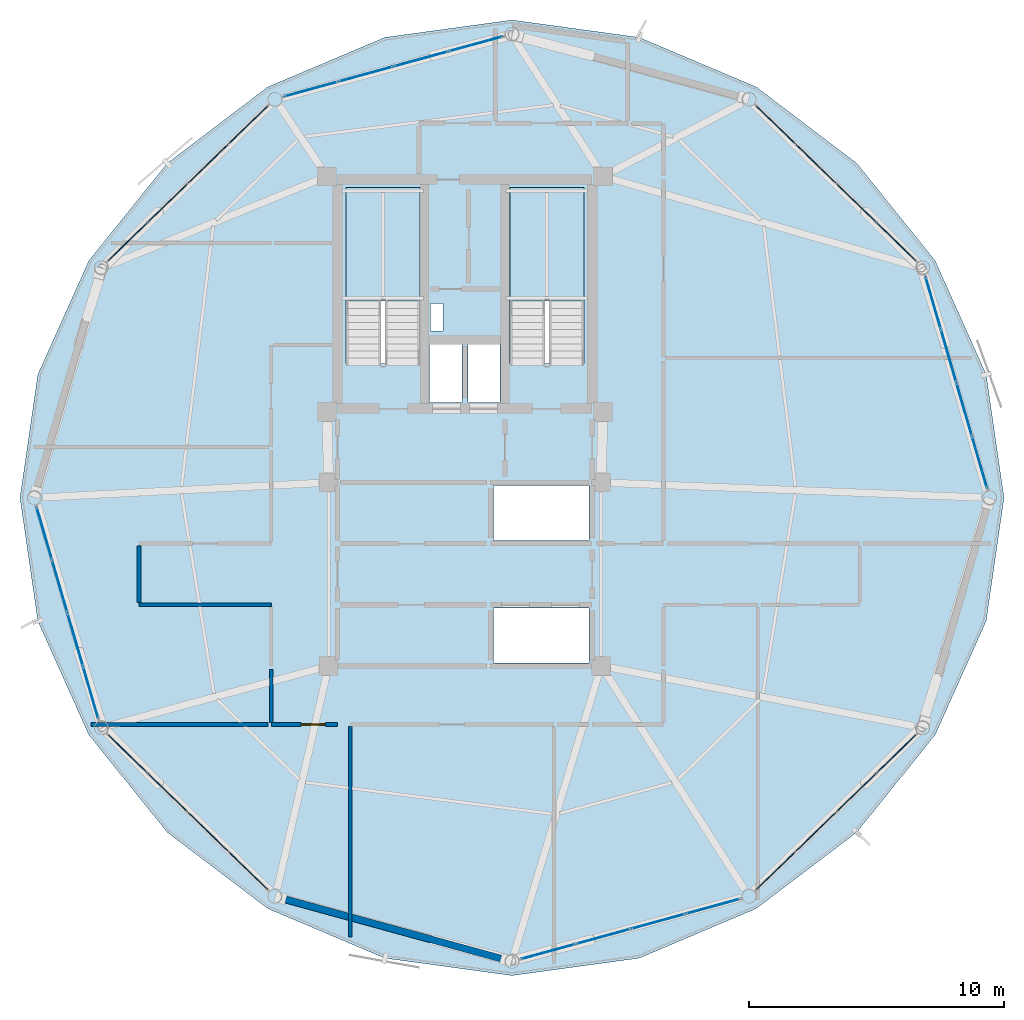
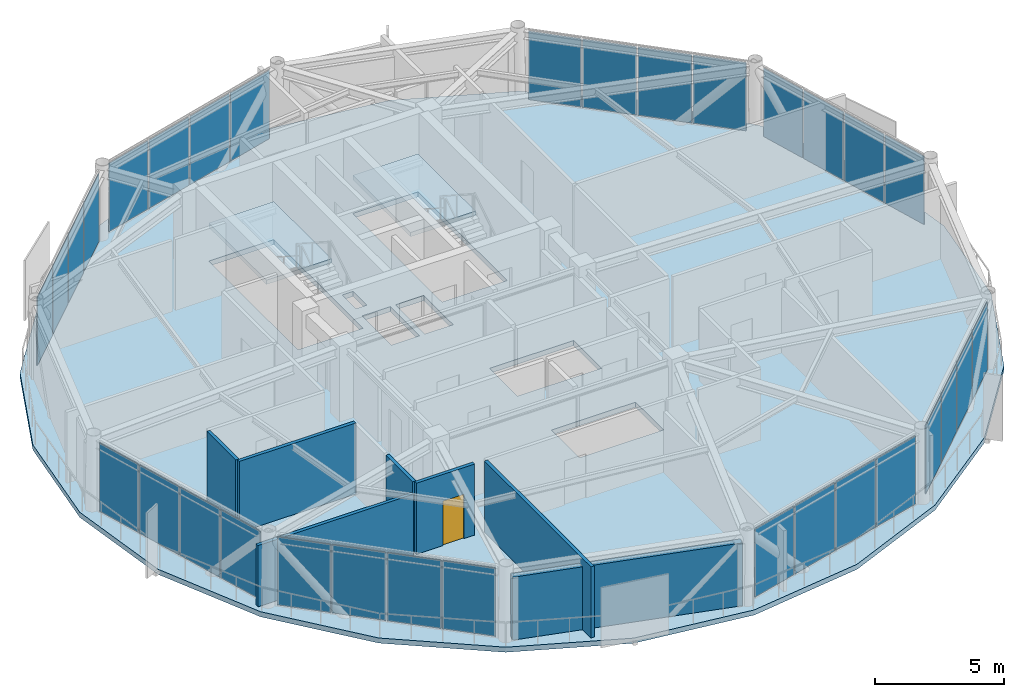
# One storey, part 21 of 27: 32 plates, 7 walls, 3 slabs, 1 door, 1 opening, 10 elements without a shape of their own.
"""IFC4 building model written with IfcOpenShell, lengths in metres."""

import ifcopenshell
import ifcopenshell.guid

model = None  # the IFC model being written
_history = None  # IfcOwnerHistory: only IFC2X3 demands one
_inside = {}  # id of a spatial element -> (the spatial element, [elements in it])
_under = {}  # id of a project, library or spatial element -> (it, [spatial elements below it])
_declared = {}  # id of a project -> (the project, [libraries it declares])
_typed = {}  # id of a type object -> (the type object, [elements of that type])
_made_of = {}  # id of a material, layer set ... -> (it, [elements and type objects made of it])


def new_model(schema):
    """Start an empty IFC model of exactly this schema.

    Asked for "IFC4X3", IfcOpenShell would pick the latest addendum, in which some entities
    have other attributes; the version numbers below select the first issue.
    IFC2X3 requires an IfcOwnerHistory on every rooted entity: one is made here for all.
    """
    global model, _history
    if schema == "IFC4X3":
        model = ifcopenshell.file(schema_version=(4, 3, 0, 0))
    else:
        model = ifcopenshell.file(schema=schema)
    _inside.clear()
    _under.clear()
    _declared.clear()
    _typed.clear()
    _made_of.clear()
    _history = None
    if model.schema == "IFC2X3":
        org = make("IfcOrganization", Name="unknown")
        user = make(
            "IfcPersonAndOrganization",
            ThePerson=make("IfcPerson", FamilyName="unknown"),
            TheOrganization=org,
        )
        app = make(
            "IfcApplication",
            ApplicationDeveloper=org,
            Version="unknown",
            ApplicationFullName="unknown",
            ApplicationIdentifier="unknown",
        )
        _history = make(
            "IfcOwnerHistory",
            OwningUser=user,
            OwningApplication=app,
            ChangeAction="ADDED",
            CreationDate=0,
        )
    return model


def make(cls, **values):
    """One entity of the class cls with the attributes given. An attribute that is None is left unset."""
    return model.create_entity(
        cls, **{name: value for name, value in values.items() if value is not None}
    )


def rooted(cls, **values):
    """An entity with a GlobalId (a new one), such as an element, a storey or a relation."""
    return make(cls, GlobalId=ifcopenshell.guid.new(), OwnerHistory=_history, **values)


def si_unit(unit_type, name, prefix=None):
    """IfcSIUnit, for example si_unit("LENGTHUNIT", "METRE", prefix="MILLI")."""
    return make("IfcSIUnit", UnitType=unit_type, Prefix=prefix, Name=name)


def assignment(units):
    """IfcUnitAssignment: the units of a project."""
    return None if units is None else make("IfcUnitAssignment", Units=units)


def point(xyz):
    """IfcCartesianPoint."""
    return None if xyz is None else make("IfcCartesianPoint", Coordinates=xyz)


def direction(xyz):
    """IfcDirection."""
    return None if xyz is None else make("IfcDirection", DirectionRatios=xyz)


def frame(location, z_axis=None, x_axis=None):
    """IfcAxis2Placement3D, a coordinate frame: its origin and axes. An axis left out is left unset."""
    return make(
        "IfcAxis2Placement3D",
        Location=point(location),
        Axis=direction(z_axis),
        RefDirection=direction(x_axis),
    )


def frame_2d(location, x_axis=None):
    """IfcAxis2Placement2D, a coordinate frame in the plane: its origin and x axis."""
    return make(
        "IfcAxis2Placement2D", Location=point(location), RefDirection=direction(x_axis)
    )


def origin():
    """The frame at (0, 0, 0) with its axes left unset."""
    return frame((0.0, 0.0, 0.0))


def origin_2d():
    """The frame at (0, 0) in the plane with its x axis left unset."""
    return frame_2d((0.0, 0.0))


def place(relative_to, where):
    """IfcLocalPlacement: puts the frame where relative to a parent placement (None: the world)."""
    return make(
        "IfcLocalPlacement", PlacementRelTo=relative_to, RelativePlacement=where
    )


def context(
    kind, dimensions, precision=None, world=None, true_north=None, identifier=None
):
    """IfcGeometricRepresentationContext, for example the 3D "Model" context."""
    return make(
        "IfcGeometricRepresentationContext",
        ContextIdentifier=identifier,
        ContextType=kind,
        CoordinateSpaceDimension=dimensions,
        Precision=precision,
        WorldCoordinateSystem=world,
        TrueNorth=true_north,
    )


def subcontext(parent, identifier, kind, view, scale=None):
    """IfcGeometricRepresentationSubContext, for example "Body" below "Model"."""
    return make(
        "IfcGeometricRepresentationSubContext",
        ContextIdentifier=identifier,
        ContextType=kind,
        ParentContext=parent,
        TargetScale=scale,
        TargetView=view,
    )


def project(units=None, contexts=None):
    """IfcProject with its units and contexts."""
    return rooted(
        "IfcProject",
        Name="project",
        RepresentationContexts=contexts,
        UnitsInContext=assignment(units),
    )


def spatial(cls, under=None, at=None, **own):
    """A site, building, storey or space (cls), placed at a placement, below another one or the project."""
    s = rooted(cls, ObjectPlacement=at, **own)
    if under is not None:
        _under.setdefault(under.id(), (under, []))[1].append(s)
    return s


def polyline(points):
    """IfcPolyline through the points."""
    return make("IfcPolyline", Points=[point(p) for p in points])


def profile(cls, at=None, kind="AREA", **sizes):
    """A parametric profile (cls). Its sizes go by their IFC names, for example OverallWidth=200.0."""
    return make(cls, ProfileType=kind, Position=at, **sizes)


def rectangle(**sizes):
    """IfcRectangleProfileDef."""
    return profile("IfcRectangleProfileDef", **sizes)


def outline(outer, holes=None, kind="AREA"):
    """IfcArbitraryClosedProfileDef: a profile drawn as a closed curve; with holes, ...WithVoids."""
    if holes is None:
        return make("IfcArbitraryClosedProfileDef", ProfileType=kind, OuterCurve=outer)
    return make(
        "IfcArbitraryProfileDefWithVoids",
        ProfileType=kind,
        OuterCurve=outer,
        InnerCurves=holes,
    )


def extrude(swept, where, along, depth):
    """IfcExtrudedAreaSolid: the profile swept, set in the frame where, extruded along a direction by depth."""
    return make(
        "IfcExtrudedAreaSolid",
        SweptArea=swept,
        Position=where,
        ExtrudedDirection=direction(along),
        Depth=depth,
    )


def shape(context_of_items, identifier, shape_type, items):
    """IfcShapeRepresentation: the items that make up one representation, for example the "Body"."""
    return make(
        "IfcShapeRepresentation",
        ContextOfItems=context_of_items,
        RepresentationIdentifier=identifier,
        RepresentationType=shape_type,
        Items=items,
    )


def source(mapping_origin, context_of_items, identifier, shape_type, items):
    """IfcRepresentationMap: a shape defined once, which mapped items show again and again."""
    return make(
        "IfcRepresentationMap",
        MappingOrigin=mapping_origin,
        MappedRepresentation=shape(context_of_items, identifier, shape_type, items),
    )


def transform(
    local_origin,
    x_axis=None,
    y_axis=None,
    z_axis=None,
    scale=None,
    scale2=None,
    scale3=None,
    uniform=True,
):
    """IfcCartesianTransformationOperator3D, or its non-uniform kind. x_axis, y_axis, z_axis: its Axis1, 2, 3."""
    if uniform:
        return make(
            "IfcCartesianTransformationOperator3D",
            Axis1=direction(x_axis),
            Axis2=direction(y_axis),
            LocalOrigin=point(local_origin),
            Scale=scale,
            Axis3=direction(z_axis),
        )
    return make(
        "IfcCartesianTransformationOperator3DnonUniform",
        Axis1=direction(x_axis),
        Axis2=direction(y_axis),
        LocalOrigin=point(local_origin),
        Scale=scale,
        Axis3=direction(z_axis),
        Scale2=scale2,
        Scale3=scale3,
    )


def mapped(mapping_source, mapping_target):
    """IfcMappedItem: shows the shape of a source again, moved by a transform."""
    return make(
        "IfcMappedItem", MappingSource=mapping_source, MappingTarget=mapping_target
    )


def material(Name=None, Category=None):
    """IfcMaterial."""
    return make("IfcMaterial", Name=Name, Category=Category)


def layer(
    of_material, thickness, ventilated=None, Name=None, Category=None, Priority=None
):
    """IfcMaterialLayer: one layer of a wall or slab, of a material (None: an air gap)."""
    return make(
        "IfcMaterialLayer",
        Material=of_material,
        LayerThickness=thickness,
        IsVentilated=ventilated,
        Name=Name,
        Category=Category,
        Priority=Priority,
    )


def layer_set(layers, Name=None):
    """IfcMaterialLayerSet."""
    return make("IfcMaterialLayerSet", MaterialLayers=layers, LayerSetName=Name)


def made_of(thing, what):
    """Note that an element or type object is made of a material, layer set ...; save() writes the relation."""
    if what is not None:
        _made_of.setdefault(what.id(), (what, []))[1].append(thing)
    return thing


def type_object(cls, material=None, **own):
    """A type object (cls), such as IfcWallType, which elements share."""
    return made_of(rooted(cls, **own), material)


def type_shapes(of_type, sources):
    """Give a type object the sources (RepresentationMaps) that its elements show as mapped items."""
    of_type.RepresentationMaps = sources


def element(
    cls,
    number,
    at=None,
    inside=None,
    cuts=None,
    type_object=None,
    material=None,
    context=None,
    identifier="Body",
    shape_type=None,
    held_by="IfcProductDefinitionShape",
    body=None,
    shapes=None,
    **own,
):
    """One element of the class cls, such as IfcWall. Its Tag is "e" and its number.

    at: its placement. inside: the storey or other place that contains it. cuts: it is an
    opening in that element (IfcRelVoidsElement). A single representation is given by context,
    identifier, shape_type and body (its items); several are given by shapes. held_by: the class
    of the entity that holds the representations. save() writes the other relations.
    """
    e = rooted(cls, Tag="e%d" % number, ObjectPlacement=at, **own)
    if body is not None:
        shapes = [shape(context, identifier, shape_type, body)]
    if shapes is not None:
        e.Representation = make(held_by, Representations=shapes)
    if inside is not None:
        _inside.setdefault(inside.id(), (inside, []))[1].append(e)
    if cuts is not None:
        rooted(
            "IfcRelVoidsElement", RelatingBuildingElement=cuts, RelatedOpeningElement=e
        )
    if type_object is not None:
        _typed.setdefault(type_object.id(), (type_object, []))[1].append(e)
    return made_of(e, material)


def fill(opening, filler):
    """IfcRelFillsElement: the door or window that sits in an opening."""
    return rooted(
        "IfcRelFillsElement",
        RelatingOpeningElement=opening,
        RelatedBuildingElement=filler,
    )


def aggregate(whole, parts):
    """IfcRelAggregates: a whole, such as a stair, and the parts it consists of."""
    return rooted("IfcRelAggregates", RelatingObject=whole, RelatedObjects=parts)


def save(model, path):
    """Write the relations noted so far, then the file.

    IfcRelAggregates (storeys below a building ...), IfcRelContainedInSpatialStructure (elements
    in a storey), IfcRelDefinesByType, IfcRelAssociatesMaterial and IfcRelDeclares: one each for
    every whole, place, type object, material and project.
    """
    for whole, parts in _under.values():
        aggregate(whole, parts)
    for where, things in _inside.values():
        rooted(
            "IfcRelContainedInSpatialStructure",
            RelatedElements=things,
            RelatingStructure=where,
        )
    for kind, things in _typed.values():
        rooted("IfcRelDefinesByType", RelatedObjects=things, RelatingType=kind)
    for what, things in _made_of.values():
        rooted("IfcRelAssociatesMaterial", RelatedObjects=things, RelatingMaterial=what)
    for by, libraries in _declared.values():
        rooted("IfcRelDeclares", RelatingContext=by, RelatedDefinitions=libraries)
    model.write(path)


model = new_model("IFC4")

# Units and contexts
model_context = context("Model", 3, precision=1e-05, world=origin(), true_north=direction((0.0, 1.0)))
body_context = subcontext(model_context, "Body", "Model", "MODEL_VIEW")
ifc_project = project(units=[si_unit("LENGTHUNIT", "METRE"), si_unit("AREAUNIT", "SQUARE_METRE"), si_unit("VOLUMEUNIT", "CUBIC_METRE"), si_unit("PLANEANGLEUNIT", "RADIAN"), si_unit("MASSUNIT", "GRAM", prefix="KILO")], contexts=[model_context])

# Site, building, storey
site_placement = place(None, origin())
site = spatial("IfcSite", under=ifc_project, at=site_placement, CompositionType="ELEMENT")
building_placement = place(site_placement, origin())
building = spatial("IfcBuilding", under=site, at=building_placement, Name="Varnakorn Sky Granary", CompositionType="ELEMENT")
storey_placement = place(building_placement, frame((0.0, 0.0, 232.800048828125)))
storey = spatial("IfcBuildingStorey", under=building, at=storey_placement, Name="L59", CompositionType="ELEMENT", Elevation=232.800048828125)

# Stair, slab
ifc_material_1 = material(Name="Concrete C40/50", Category="concrete")
stair_type = type_object("IfcStairType", Name="ST-MAIN-ASSEMBLY", PredefinedType="HALF_TURN_STAIR", material=ifc_material_1)
stair_1_placement = place(storey_placement, origin())
stair_1 = element("IfcStair", 1, at=stair_1_placement, inside=storey, type_object=stair_type, Name="L59 Protected Exit Stair ST-1", PredefinedType="HALF_TURN_STAIR")
ifc_layer_1 = layer(ifc_material_1, 0.199951171875, Name="Concrete C40/50")
ifc_layer_set_1 = layer_set([ifc_layer_1], Name="Concrete C40/50")
slab_type_1 = type_object("IfcSlabType", Name="ST-MAIN-LAND", PredefinedType="LANDING", material=ifc_layer_set_1)
slab_1_placement = place(storey_placement, frame((0.0, 0.0, 1.599853515625)))
slab_1 = element("IfcSlab", 2, at=slab_1_placement, type_object=slab_type_1, Name="ST-1 landing 1", PredefinedType="LANDING", context=body_context, shape_type="SweptSolid", body=[
    extrude(outline(polyline([(1.239990234375, 7.719970703125), (1.239990234375, 12.179931640625), (-1.669921875, 12.179931640625), (-1.669921875, 7.719970703125), (1.239990234375, 7.719970703125)])), origin(), (0.0, 0.0, 1.0), 0.2001953125),
])
aggregate(stair_1, [slab_1])

stair_2_placement = place(storey_placement, origin())
stair_2 = element("IfcStair", 3, at=stair_2_placement, inside=storey, type_object=stair_type, Name="L59 Protected Exit Stair ST-2", PredefinedType="HALF_TURN_STAIR")
slab_2_placement = place(storey_placement, frame((0.0, 0.0, 1.599853515625)))
slab_2 = element("IfcSlab", 4, at=slab_2_placement, type_object=slab_type_1, Name="ST-2 landing 1", PredefinedType="LANDING", context=body_context, shape_type="SweptSolid", body=[
    extrude(outline(polyline([(7.679931640625, 7.719970703125), (7.679931640625, 12.179931640625), (4.77001953125, 12.179931640625), (4.77001953125, 7.719970703125), (7.679931640625, 7.719970703125)])), origin(), (0.0, 0.0, 1.0), 0.2001953125),
])
aggregate(stair_2, [slab_2])

# Slab
ifc_material_2 = material(Name="Concrete C50/60", Category="concrete")
ifc_layer_2 = layer(ifc_material_2, 0.239990234375, Name="Concrete C50/60")
ifc_layer_set_2 = layer_set([ifc_layer_2], Name="Concrete C50/60")
slab_type_2 = type_object("IfcSlabType", Name="ST-SL-TWR-240", PredefinedType="FLOOR", material=ifc_layer_set_2)
slab_3_placement = place(storey_placement, frame((0.0, 0.0, -0.239990234375)))
element("IfcSlab", 5, at=slab_3_placement, inside=storey, type_object=slab_type_2, Name="Level L59 Structural Floor Slab", PredefinedType="FLOOR", context=body_context, shape_type="SweptSolid", body=[
    extrude(outline(polyline([(24.166015625, 0.0), (23.46435546875, 4.84326171875), (21.461181640625, 9.3115234375), (18.381103515625, 13.13671875), (14.4404296875, 16.1279296875), (9.837646484375, 18.075439453125), (4.85009765625, 18.758056640625), (-0.1376953125, 18.075439453125), (-4.740478515625, 16.1279296875), (-8.68115234375, 13.13671875), (-11.76123046875, 9.3115234375), (-13.764404296875, 4.84326171875), (-14.466064453125, 0.0), (-13.764404296875, -4.84326171875), (-11.76123046875, -9.3115234375), (-8.68115234375, -13.13671875), (-4.740478515625, -16.1279296875), (-0.1376953125, -18.075439453125), (4.85009765625, -18.758056640625), (9.837646484375, -18.075439453125), (14.4404296875, -16.1279296875), (18.381103515625, -13.13671875), (21.461181640625, -9.3115234375), (23.46435546875, -4.84326171875), (24.166015625, 0.0)]), holes=[polyline([(1.239990234375, 5.27490234375), (1.239990234375, 12.179931640625), (-1.669921875, 12.179931640625), (-1.669921875, 5.27490234375), (1.239990234375, 5.27490234375)]), polyline([(7.679931640625, 5.27490234375), (7.679931640625, 12.179931640625), (4.77001953125, 12.179931640625), (4.77001953125, 5.27490234375), (7.679931640625, 5.27490234375)]), polyline([(1.659912109375, 6.550048828125), (2.14990234375, 6.550048828125), (2.14990234375, 7.6201171875), (1.659912109375, 7.6201171875), (1.659912109375, 6.550048828125)]), polyline([(1.6201171875, 3.739990234375), (2.8798828125, 3.739990234375), (2.8798828125, 6.010009765625), (1.6201171875, 6.010009765625), (1.6201171875, 3.739990234375)]), polyline([(3.1201171875, 3.739990234375), (4.3798828125, 3.739990234375), (4.3798828125, 6.010009765625), (3.1201171875, 6.010009765625), (3.1201171875, 3.739990234375)]), polyline([(4.1201171875, -1.679931640625), (7.8798828125, -1.679931640625), (7.8798828125, 0.47998046875), (4.1201171875, 0.47998046875), (4.1201171875, -1.679931640625)]), polyline([(4.1201171875, -6.47998046875), (7.8798828125, -6.47998046875), (7.8798828125, -4.320068359375), (4.1201171875, -4.320068359375), (4.1201171875, -6.47998046875)])]), origin(), (0.0, 0.0, 1.0), 0.239990234375),
])

# Curtain wall, plates
ifc_material_3 = material(Name="Anodised Bronze Aluminium Alloy 6063-T6", Category="aluminium")
ifc_layer_3 = layer(ifc_material_3, 0.169921875, Name="Anodised Bronze Aluminium Alloy 6063-T6")
ifc_layer_set_3 = layer_set([ifc_layer_3], Name="Anodised Bronze Aluminium Alloy 6063-T6")
curtain_wall_type = type_object("IfcCurtainWallType", Name="CW-LAB-1", PredefinedType="USERDEFINED", material=ifc_layer_set_3)
curtain_wall_1_placement = place(storey_placement, origin())
curtain_wall_1 = element("IfcCurtainWall", 6, at=curtain_wall_1_placement, inside=storey, type_object=curtain_wall_type, Name="Unitised Curtain Wall CW5 CW-L59-B01", ObjectType="CURTAIN WALL", PredefinedType="USERDEFINED")
ifc_material_4 = material(Name="Opaque Insulated Aluminium Shadow-Box Unit", Category="aluminium")
ifc_layer_4 = layer(ifc_material_4, 0.033935546875, Name="Opaque Insulated Aluminium Shadow-Box Unit")
ifc_layer_set_4 = layer_set([ifc_layer_4], Name="Opaque Insulated Aluminium Shadow-Box Unit")
plate_type = type_object("IfcPlateType", Name="CW-LAB-1-PNL", PredefinedType="CURTAIN_PANEL")
shared_shape_1 = source(origin(), body_context, "Body", "SweptSolid", [
    extrude(rectangle(XDim=2.085693359375, YDim=0.033935546875, at=origin_2d()), origin(), (0.0, 0.0, 1.0), 3.219970703125),
])
plate_1_placement = place(storey_placement, frame((21.389404296875, 7.646728515625, 0.06982421875), z_axis=(0.0, 0.0, 1.0), x_axis=(0.27955892396, -0.960128537246, 0.0)))
plate_1 = element("IfcPlate", 7, at=plate_1_placement, type_object=plate_type, material=ifc_layer_set_4, Name="CW5 opaque insulated shadow-box unit 1.1", PredefinedType="CURTAIN_PANEL", context=body_context, shape_type="MappedRepresentation", body=[
    mapped(shared_shape_1, transform((0.0, 0.0, 0.0), x_axis=(1.0, 0.0, 0.0), y_axis=(0.0, 1.0, 0.0), z_axis=(0.0, 0.0, 1.0), scale=1.0)),
])
ifc_material_5 = material(Name="Low-E Tinted Laminated Glass", Category="glass")
ifc_layer_5 = layer(ifc_material_5, 0.033935546875, Name="Low-E Tinted Laminated Glass")
ifc_layer_set_5 = layer_set([ifc_layer_5], Name="Low-E Tinted Laminated Glass")
plate_2_placement = place(storey_placement, frame((23.21142578125, 1.3896484375, 0.06982421875), z_axis=(0.0, 0.0, 1.0), x_axis=(0.27955892396, -0.960128537246, 0.0)))
plate_2 = element("IfcPlate", 8, at=plate_2_placement, type_object=plate_type, material=ifc_layer_set_5, Name="CW5 vision glazing unit 4.1", PredefinedType="CURTAIN_PANEL", context=body_context, shape_type="MappedRepresentation", body=[
    mapped(shared_shape_1, transform((0.0, 0.0, 0.0), x_axis=(1.0, 0.0, 0.0), y_axis=(0.0, 1.0, 0.0), z_axis=(0.0, 0.0, 1.0), scale=1.0)),
])

curtain_wall_2_placement = place(storey_placement, origin())
curtain_wall_2 = element("IfcCurtainWall", 9, at=curtain_wall_2_placement, inside=storey, type_object=curtain_wall_type, Name="Unitised Curtain Wall CW5 CW-L59-B07", ObjectType="CURTAIN WALL", PredefinedType="USERDEFINED")
plate_3_placement = place(storey_placement, frame((-11.689453125, -7.646728515625, 0.06982421875), z_axis=(0.0, 0.0, 1.0), x_axis=(-0.27955892396, 0.960128537246, 0.0)))
plate_3 = element("IfcPlate", 10, at=plate_3_placement, type_object=plate_type, material=ifc_layer_set_4, Name="CW5 opaque insulated shadow-box unit 1.1", PredefinedType="CURTAIN_PANEL", context=body_context, shape_type="MappedRepresentation", body=[
    mapped(shared_shape_1, transform((0.0, 0.0, 0.0), x_axis=(1.0, 0.0, 0.0), y_axis=(0.0, 1.0, 0.0), z_axis=(0.0, 0.0, 1.0), scale=1.0)),
])
plate_4_placement = place(storey_placement, frame((-13.511474609375, -1.3896484375, 0.06982421875), z_axis=(0.0, 0.0, 1.0), x_axis=(-0.27955892396, 0.960128537246, 0.0)))
plate_4 = element("IfcPlate", 11, at=plate_4_placement, type_object=plate_type, material=ifc_layer_set_5, Name="CW5 vision glazing unit 4.1", PredefinedType="CURTAIN_PANEL", context=body_context, shape_type="MappedRepresentation", body=[
    mapped(shared_shape_1, transform((0.0, 0.0, 0.0), x_axis=(1.0, 0.0, 0.0), y_axis=(0.0, 1.0, 0.0), z_axis=(0.0, 0.0, 1.0), scale=1.0)),
])

# Plate
shared_shape_2 = source(origin(), body_context, "Body", "SweptSolid", [
    extrude(rectangle(XDim=2.1181640625, YDim=0.033935546875, at=origin_2d()), origin(), (0.0, 0.0, 1.0), 3.219970703125),
])
plate_5_placement = place(storey_placement, frame((21.995361328125, 5.56640625, 0.06982421875), z_axis=(0.0, 0.0, 1.0), x_axis=(0.27955892396, -0.960128537246, 0.0)))
plate_5 = element("IfcPlate", 12, at=plate_5_placement, type_object=plate_type, material=ifc_layer_set_4, Name="CW5 opaque insulated shadow-box unit 2.1", PredefinedType="CURTAIN_PANEL", context=body_context, shape_type="MappedRepresentation", body=[
    mapped(shared_shape_2, transform((0.0, 0.0, 0.0), x_axis=(1.0, 0.0, 0.0), y_axis=(0.0, 1.0, 0.0), z_axis=(0.0, 0.0, 1.0), scale=1.0)),
])

plate_6_placement = place(storey_placement, frame((22.605712890625, 3.47021484375, 0.06982421875), z_axis=(0.0, 0.0, 1.0), x_axis=(0.27955892396, -0.960128537246, 0.0)))
plate_6 = element("IfcPlate", 13, at=plate_6_placement, type_object=plate_type, material=ifc_layer_set_5, Name="CW5 vision glazing unit 3.1", PredefinedType="CURTAIN_PANEL", context=body_context, shape_type="MappedRepresentation", body=[
    mapped(shared_shape_2, transform((0.0, 0.0, 0.0), x_axis=(1.0, 0.0, 0.0), y_axis=(0.0, 1.0, 0.0), z_axis=(0.0, 0.0, 1.0), scale=1.0)),
])

aggregate(curtain_wall_1, [plate_1, plate_5, plate_6, plate_2])

plate_7_placement = place(storey_placement, frame((-12.295166015625, -5.56640625, 0.06982421875), z_axis=(0.0, 0.0, 1.0), x_axis=(-0.27955892396, 0.960128537246, 0.0)))
plate_7 = element("IfcPlate", 14, at=plate_7_placement, type_object=plate_type, material=ifc_layer_set_4, Name="CW5 opaque insulated shadow-box unit 2.1", PredefinedType="CURTAIN_PANEL", context=body_context, shape_type="MappedRepresentation", body=[
    mapped(shared_shape_2, transform((0.0, 0.0, 0.0), x_axis=(1.0, 0.0, 0.0), y_axis=(0.0, 1.0, 0.0), z_axis=(0.0, 0.0, 1.0), scale=1.0)),
])

plate_8_placement = place(storey_placement, frame((-12.905517578125, -3.47021484375, 0.06982421875), z_axis=(0.0, 0.0, 1.0), x_axis=(-0.27955892396, 0.960128537246, 0.0)))
plate_8 = element("IfcPlate", 15, at=plate_8_placement, type_object=plate_type, material=ifc_layer_set_5, Name="CW5 vision glazing unit 3.1", PredefinedType="CURTAIN_PANEL", context=body_context, shape_type="MappedRepresentation", body=[
    mapped(shared_shape_2, transform((0.0, 0.0, 0.0), x_axis=(1.0, 0.0, 0.0), y_axis=(0.0, 1.0, 0.0), z_axis=(0.0, 0.0, 1.0), scale=1.0)),
])

aggregate(curtain_wall_2, [plate_3, plate_7, plate_8, plate_4])

# Curtain wall, plates
curtain_wall_3_placement = place(storey_placement, origin())
curtain_wall_3 = element("IfcCurtainWall", 16, at=curtain_wall_3_placement, inside=storey, type_object=curtain_wall_type, Name="Unitised Curtain Wall CW5 CW-L59-B02", ObjectType="CURTAIN WALL", PredefinedType="USERDEFINED")
shared_shape_3 = source(origin(), body_context, "Body", "SweptSolid", [
    extrude(rectangle(XDim=2.10791015625, YDim=0.033935546875, at=origin_2d()), origin(), (0.0, 0.0, 1.0), 3.219970703125),
])
plate_9_placement = place(storey_placement, frame((15.21240234375, 14.63623046875, 0.06982421875), z_axis=(0.0, 0.0, 1.0), x_axis=(0.717771284893, -0.696278954574, 0.0)))
plate_9 = element("IfcPlate", 17, at=plate_9_placement, type_object=plate_type, material=ifc_layer_set_5, Name="CW5 vision glazing unit 1.1", PredefinedType="CURTAIN_PANEL", context=body_context, shape_type="MappedRepresentation", body=[
    mapped(shared_shape_3, transform((0.0, 0.0, 0.0), x_axis=(1.0, 0.0, 0.0), y_axis=(0.0, 1.0, 0.0), z_axis=(0.0, 0.0, 1.0), scale=1.0)),
])
plate_10_placement = place(storey_placement, frame((19.93798828125, 10.052001953125, 0.06982421875), z_axis=(0.0, 0.0, 1.0), x_axis=(0.717771284893, -0.696278954574, 0.0)))
plate_10 = element("IfcPlate", 18, at=plate_10_placement, type_object=plate_type, material=ifc_layer_set_4, Name="CW5 opaque insulated shadow-box unit 4.1", PredefinedType="CURTAIN_PANEL", context=body_context, shape_type="MappedRepresentation", body=[
    mapped(shared_shape_3, transform((0.0, 0.0, 0.0), x_axis=(1.0, 0.0, 0.0), y_axis=(0.0, 1.0, 0.0), z_axis=(0.0, 0.0, 1.0), scale=1.0)),
])

curtain_wall_4_placement = place(storey_placement, origin())
curtain_wall_4 = element("IfcCurtainWall", 19, at=curtain_wall_4_placement, inside=storey, type_object=curtain_wall_type, Name="Unitised Curtain Wall CW5 CW-L59-B05", ObjectType="CURTAIN WALL", PredefinedType="USERDEFINED")
plate_11_placement = place(storey_placement, frame((-10.238037109375, 10.052001953125, 0.06982421875), z_axis=(0.0, 0.0, 1.0), x_axis=(0.717771284893, 0.696278954574, 0.0)))
plate_11 = element("IfcPlate", 20, at=plate_11_placement, type_object=plate_type, material=ifc_layer_set_4, Name="CW5 opaque insulated shadow-box unit 1.1", PredefinedType="CURTAIN_PANEL", context=body_context, shape_type="MappedRepresentation", body=[
    mapped(shared_shape_3, transform((0.0, 0.0, 0.0), x_axis=(1.0, 0.0, 0.0), y_axis=(0.0, 1.0, 0.0), z_axis=(0.0, 0.0, 1.0), scale=1.0)),
])
plate_12_placement = place(storey_placement, frame((-5.512451171875, 14.63623046875, 0.06982421875), z_axis=(0.0, 0.0, 1.0), x_axis=(0.717771284893, 0.696278954574, 0.0)))
plate_12 = element("IfcPlate", 21, at=plate_12_placement, type_object=plate_type, material=ifc_layer_set_5, Name="CW5 vision glazing unit 4.1", PredefinedType="CURTAIN_PANEL", context=body_context, shape_type="MappedRepresentation", body=[
    mapped(shared_shape_3, transform((0.0, 0.0, 0.0), x_axis=(1.0, 0.0, 0.0), y_axis=(0.0, 1.0, 0.0), z_axis=(0.0, 0.0, 1.0), scale=1.0)),
])

curtain_wall_5_placement = place(storey_placement, origin())
curtain_wall_5 = element("IfcCurtainWall", 22, at=curtain_wall_5_placement, inside=storey, type_object=curtain_wall_type, Name="Unitised Curtain Wall CW5 CW-L59-B08", ObjectType="CURTAIN WALL", PredefinedType="USERDEFINED")
plate_13_placement = place(storey_placement, frame((-5.512451171875, -14.63623046875, 0.06982421875), z_axis=(0.0, 0.0, 1.0), x_axis=(-0.717771284893, 0.696278954574, 0.0)))
plate_13 = element("IfcPlate", 23, at=plate_13_placement, type_object=plate_type, material=ifc_layer_set_5, Name="CW5 vision glazing unit 1.1", PredefinedType="CURTAIN_PANEL", context=body_context, shape_type="MappedRepresentation", body=[
    mapped(shared_shape_3, transform((0.0, 0.0, 0.0), x_axis=(1.0, 0.0, 0.0), y_axis=(0.0, 1.0, 0.0), z_axis=(0.0, 0.0, 1.0), scale=1.0)),
])
plate_14_placement = place(storey_placement, frame((-10.238037109375, -10.052001953125, 0.06982421875), z_axis=(0.0, 0.0, 1.0), x_axis=(-0.717771284893, 0.696278954574, 0.0)))
plate_14 = element("IfcPlate", 24, at=plate_14_placement, type_object=plate_type, material=ifc_layer_set_4, Name="CW5 opaque insulated shadow-box unit 4.1", PredefinedType="CURTAIN_PANEL", context=body_context, shape_type="MappedRepresentation", body=[
    mapped(shared_shape_3, transform((0.0, 0.0, 0.0), x_axis=(1.0, 0.0, 0.0), y_axis=(0.0, 1.0, 0.0), z_axis=(0.0, 0.0, 1.0), scale=1.0)),
])

curtain_wall_6_placement = place(storey_placement, origin())
curtain_wall_6 = element("IfcCurtainWall", 25, at=curtain_wall_6_placement, inside=storey, type_object=curtain_wall_type, Name="Unitised Curtain Wall CW5 CW-L59-B11", ObjectType="CURTAIN WALL", PredefinedType="USERDEFINED")
plate_15_placement = place(storey_placement, frame((19.93798828125, -10.052001953125, 0.06982421875), z_axis=(0.0, 0.0, 1.0), x_axis=(-0.717771284893, -0.696278954574, 0.0)))
plate_15 = element("IfcPlate", 26, at=plate_15_placement, type_object=plate_type, material=ifc_layer_set_4, Name="CW5 opaque insulated shadow-box unit 1.1", PredefinedType="CURTAIN_PANEL", context=body_context, shape_type="MappedRepresentation", body=[
    mapped(shared_shape_3, transform((0.0, 0.0, 0.0), x_axis=(1.0, 0.0, 0.0), y_axis=(0.0, 1.0, 0.0), z_axis=(0.0, 0.0, 1.0), scale=1.0)),
])
plate_16_placement = place(storey_placement, frame((15.21240234375, -14.63623046875, 0.06982421875), z_axis=(0.0, 0.0, 1.0), x_axis=(-0.717771284893, -0.696278954574, 0.0)))
plate_16 = element("IfcPlate", 27, at=plate_16_placement, type_object=plate_type, material=ifc_layer_set_5, Name="CW5 vision glazing unit 4.1", PredefinedType="CURTAIN_PANEL", context=body_context, shape_type="MappedRepresentation", body=[
    mapped(shared_shape_3, transform((0.0, 0.0, 0.0), x_axis=(1.0, 0.0, 0.0), y_axis=(0.0, 1.0, 0.0), z_axis=(0.0, 0.0, 1.0), scale=1.0)),
])

# Plate
shared_shape_4 = source(origin(), body_context, "Body", "SweptSolid", [
    extrude(rectangle(XDim=2.140380859375, YDim=0.033935546875, at=origin_2d()), origin(), (0.0, 0.0, 1.0), 3.219970703125),
])
plate_17_placement = place(storey_placement, frame((16.78369140625, 13.11181640625, 0.06982421875), z_axis=(0.0, 0.0, 1.0), x_axis=(0.717771284893, -0.696278954574, 0.0)))
plate_17 = element("IfcPlate", 28, at=plate_17_placement, type_object=plate_type, material=ifc_layer_set_5, Name="CW5 vision glazing unit 2.1", PredefinedType="CURTAIN_PANEL", context=body_context, shape_type="MappedRepresentation", body=[
    mapped(shared_shape_4, transform((0.0, 0.0, 0.0), x_axis=(1.0, 0.0, 0.0), y_axis=(0.0, 1.0, 0.0), z_axis=(0.0, 0.0, 1.0), scale=1.0)),
])

plate_18_placement = place(storey_placement, frame((18.36669921875, 11.576416015625, 0.06982421875), z_axis=(0.0, 0.0, 1.0), x_axis=(0.717771284893, -0.696278954574, 0.0)))
plate_18 = element("IfcPlate", 29, at=plate_18_placement, type_object=plate_type, material=ifc_layer_set_4, Name="CW5 opaque insulated shadow-box unit 3.1", PredefinedType="CURTAIN_PANEL", context=body_context, shape_type="MappedRepresentation", body=[
    mapped(shared_shape_4, transform((0.0, 0.0, 0.0), x_axis=(1.0, 0.0, 0.0), y_axis=(0.0, 1.0, 0.0), z_axis=(0.0, 0.0, 1.0), scale=1.0)),
])

aggregate(curtain_wall_3, [plate_9, plate_17, plate_18, plate_10])

plate_19_placement = place(storey_placement, frame((-8.666748046875, 11.576416015625, 0.06982421875), z_axis=(0.0, 0.0, 1.0), x_axis=(0.717771284893, 0.696278954574, 0.0)))
plate_19 = element("IfcPlate", 30, at=plate_19_placement, type_object=plate_type, material=ifc_layer_set_4, Name="CW5 opaque insulated shadow-box unit 2.1", PredefinedType="CURTAIN_PANEL", context=body_context, shape_type="MappedRepresentation", body=[
    mapped(shared_shape_4, transform((0.0, 0.0, 0.0), x_axis=(1.0, 0.0, 0.0), y_axis=(0.0, 1.0, 0.0), z_axis=(0.0, 0.0, 1.0), scale=1.0)),
])

plate_20_placement = place(storey_placement, frame((-7.083740234375, 13.11181640625, 0.06982421875), z_axis=(0.0, 0.0, 1.0), x_axis=(0.717771284893, 0.696278954574, 0.0)))
plate_20 = element("IfcPlate", 31, at=plate_20_placement, type_object=plate_type, material=ifc_layer_set_5, Name="CW5 vision glazing unit 3.1", PredefinedType="CURTAIN_PANEL", context=body_context, shape_type="MappedRepresentation", body=[
    mapped(shared_shape_4, transform((0.0, 0.0, 0.0), x_axis=(1.0, 0.0, 0.0), y_axis=(0.0, 1.0, 0.0), z_axis=(0.0, 0.0, 1.0), scale=1.0)),
])

aggregate(curtain_wall_4, [plate_11, plate_19, plate_20, plate_12])

plate_21_placement = place(storey_placement, frame((-7.083740234375, -13.11181640625, 0.06982421875), z_axis=(0.0, 0.0, 1.0), x_axis=(-0.717771284893, 0.696278954574, 0.0)))
plate_21 = element("IfcPlate", 32, at=plate_21_placement, type_object=plate_type, material=ifc_layer_set_5, Name="CW5 vision glazing unit 2.1", PredefinedType="CURTAIN_PANEL", context=body_context, shape_type="MappedRepresentation", body=[
    mapped(shared_shape_4, transform((0.0, 0.0, 0.0), x_axis=(1.0, 0.0, 0.0), y_axis=(0.0, 1.0, 0.0), z_axis=(0.0, 0.0, 1.0), scale=1.0)),
])

plate_22_placement = place(storey_placement, frame((-8.666748046875, -11.576416015625, 0.06982421875), z_axis=(0.0, 0.0, 1.0), x_axis=(-0.717771284893, 0.696278954574, 0.0)))
plate_22 = element("IfcPlate", 33, at=plate_22_placement, type_object=plate_type, material=ifc_layer_set_4, Name="CW5 opaque insulated shadow-box unit 3.1", PredefinedType="CURTAIN_PANEL", context=body_context, shape_type="MappedRepresentation", body=[
    mapped(shared_shape_4, transform((0.0, 0.0, 0.0), x_axis=(1.0, 0.0, 0.0), y_axis=(0.0, 1.0, 0.0), z_axis=(0.0, 0.0, 1.0), scale=1.0)),
])

aggregate(curtain_wall_5, [plate_13, plate_21, plate_22, plate_14])

plate_23_placement = place(storey_placement, frame((18.36669921875, -11.576416015625, 0.06982421875), z_axis=(0.0, 0.0, 1.0), x_axis=(-0.717771284893, -0.696278954574, 0.0)))
plate_23 = element("IfcPlate", 34, at=plate_23_placement, type_object=plate_type, material=ifc_layer_set_4, Name="CW5 opaque insulated shadow-box unit 2.1", PredefinedType="CURTAIN_PANEL", context=body_context, shape_type="MappedRepresentation", body=[
    mapped(shared_shape_4, transform((0.0, 0.0, 0.0), x_axis=(1.0, 0.0, 0.0), y_axis=(0.0, 1.0, 0.0), z_axis=(0.0, 0.0, 1.0), scale=1.0)),
])

plate_24_placement = place(storey_placement, frame((16.78369140625, -13.11181640625, 0.06982421875), z_axis=(0.0, 0.0, 1.0), x_axis=(-0.717771284893, -0.696278954574, 0.0)))
plate_24 = element("IfcPlate", 35, at=plate_24_placement, type_object=plate_type, material=ifc_layer_set_5, Name="CW5 vision glazing unit 3.1", PredefinedType="CURTAIN_PANEL", context=body_context, shape_type="MappedRepresentation", body=[
    mapped(shared_shape_4, transform((0.0, 0.0, 0.0), x_axis=(1.0, 0.0, 0.0), y_axis=(0.0, 1.0, 0.0), z_axis=(0.0, 0.0, 1.0), scale=1.0)),
])

aggregate(curtain_wall_6, [plate_15, plate_23, plate_24, plate_16])

# Curtain wall, plates
curtain_wall_7_placement = place(storey_placement, origin())
curtain_wall_7 = element("IfcCurtainWall", 36, at=curtain_wall_7_placement, inside=storey, type_object=curtain_wall_type, Name="Unitised Curtain Wall CW5 CW-L59-B04", ObjectType="CURTAIN WALL", PredefinedType="USERDEFINED")
shared_shape_5 = source(origin(), body_context, "Body", "SweptSolid", [
    extrude(rectangle(XDim=2.147705078125, YDim=0.033935546875, at=origin_2d()), origin(), (0.0, 0.0, 1.0), 3.219970703125),
])
plate_25_placement = place(storey_placement, frame((-3.039794921875, 16.04296875, 0.06982421875), z_axis=(0.0, 0.0, 1.0), x_axis=(0.964347379265, 0.26463962686, 0.0)))
plate_25 = element("IfcPlate", 37, at=plate_25_placement, type_object=plate_type, material=ifc_layer_set_5, Name="CW5 vision glazing unit 1.1", PredefinedType="CURTAIN_PANEL", context=body_context, shape_type="MappedRepresentation", body=[
    mapped(shared_shape_5, transform((0.0, 0.0, 0.0), x_axis=(1.0, 0.0, 0.0), y_axis=(0.0, 1.0, 0.0), z_axis=(0.0, 0.0, 1.0), scale=1.0)),
])
plate_26_placement = place(storey_placement, frame((3.42431640625, 17.81689453125, 0.06982421875), z_axis=(0.0, 0.0, 1.0), x_axis=(0.964347379265, 0.26463962686, 0.0)))
plate_26 = element("IfcPlate", 38, at=plate_26_placement, type_object=plate_type, material=ifc_layer_set_4, Name="CW5 opaque insulated shadow-box unit 4.1", PredefinedType="CURTAIN_PANEL", context=body_context, shape_type="MappedRepresentation", body=[
    mapped(shared_shape_5, transform((0.0, 0.0, 0.0), x_axis=(1.0, 0.0, 0.0), y_axis=(0.0, 1.0, 0.0), z_axis=(0.0, 0.0, 1.0), scale=1.0)),
])

curtain_wall_8_placement = place(storey_placement, origin())
curtain_wall_8 = element("IfcCurtainWall", 39, at=curtain_wall_8_placement, inside=storey, type_object=curtain_wall_type, Name="Unitised Curtain Wall CW5 CW-L59-B10", ObjectType="CURTAIN WALL", PredefinedType="USERDEFINED")
plate_27_placement = place(storey_placement, frame((12.73974609375, -16.04296875, 0.06982421875), z_axis=(0.0, 0.0, 1.0), x_axis=(-0.964347379265, -0.26463962686, 0.0)))
plate_27 = element("IfcPlate", 40, at=plate_27_placement, type_object=plate_type, material=ifc_layer_set_5, Name="CW5 vision glazing unit 1.1", PredefinedType="CURTAIN_PANEL", context=body_context, shape_type="MappedRepresentation", body=[
    mapped(shared_shape_5, transform((0.0, 0.0, 0.0), x_axis=(1.0, 0.0, 0.0), y_axis=(0.0, 1.0, 0.0), z_axis=(0.0, 0.0, 1.0), scale=1.0)),
])
plate_28_placement = place(storey_placement, frame((6.275634765625, -17.81689453125, 0.06982421875), z_axis=(0.0, 0.0, 1.0), x_axis=(-0.964347379265, -0.26463962686, 0.0)))
plate_28 = element("IfcPlate", 41, at=plate_28_placement, type_object=plate_type, material=ifc_layer_set_4, Name="CW5 opaque insulated shadow-box unit 4.1", PredefinedType="CURTAIN_PANEL", context=body_context, shape_type="MappedRepresentation", body=[
    mapped(shared_shape_5, transform((0.0, 0.0, 0.0), x_axis=(1.0, 0.0, 0.0), y_axis=(0.0, 1.0, 0.0), z_axis=(0.0, 0.0, 1.0), scale=1.0)),
])

# Plate
shared_shape_6 = source(origin(), body_context, "Body", "SweptSolid", [
    extrude(rectangle(XDim=2.18017578125, YDim=0.033935546875, at=origin_2d()), origin(), (0.0, 0.0, 1.0), 3.219970703125),
])
type_shapes(plate_type, [shared_shape_1, shared_shape_2, shared_shape_3, shared_shape_4, shared_shape_5, shared_shape_6])
plate_29_placement = place(storey_placement, frame((-0.890380859375, 16.6328125, 0.06982421875), z_axis=(0.0, 0.0, 1.0), x_axis=(0.964347379265, 0.26463962686, 0.0)))
plate_29 = element("IfcPlate", 42, at=plate_29_placement, type_object=plate_type, material=ifc_layer_set_5, Name="CW5 vision glazing unit 2.1", PredefinedType="CURTAIN_PANEL", context=body_context, shape_type="MappedRepresentation", body=[
    mapped(shared_shape_6, transform((0.0, 0.0, 0.0), x_axis=(1.0, 0.0, 0.0), y_axis=(0.0, 1.0, 0.0), z_axis=(0.0, 0.0, 1.0), scale=1.0)),
])

plate_30_placement = place(storey_placement, frame((1.27490234375, 17.22705078125, 0.06982421875), z_axis=(0.0, 0.0, 1.0), x_axis=(0.964347379265, 0.26463962686, 0.0)))
plate_30 = element("IfcPlate", 43, at=plate_30_placement, type_object=plate_type, material=ifc_layer_set_4, Name="CW5 opaque insulated shadow-box unit 3.1", PredefinedType="CURTAIN_PANEL", context=body_context, shape_type="MappedRepresentation", body=[
    mapped(shared_shape_6, transform((0.0, 0.0, 0.0), x_axis=(1.0, 0.0, 0.0), y_axis=(0.0, 1.0, 0.0), z_axis=(0.0, 0.0, 1.0), scale=1.0)),
])

aggregate(curtain_wall_7, [plate_25, plate_29, plate_30, plate_26])

plate_31_placement = place(storey_placement, frame((10.59033203125, -16.6328125, 0.06982421875), z_axis=(0.0, 0.0, 1.0), x_axis=(-0.964347379265, -0.26463962686, 0.0)))
plate_31 = element("IfcPlate", 44, at=plate_31_placement, type_object=plate_type, material=ifc_layer_set_5, Name="CW5 vision glazing unit 2.1", PredefinedType="CURTAIN_PANEL", context=body_context, shape_type="MappedRepresentation", body=[
    mapped(shared_shape_6, transform((0.0, 0.0, 0.0), x_axis=(1.0, 0.0, 0.0), y_axis=(0.0, 1.0, 0.0), z_axis=(0.0, 0.0, 1.0), scale=1.0)),
])

plate_32_placement = place(storey_placement, frame((8.425048828125, -17.22705078125, 0.06982421875), z_axis=(0.0, 0.0, 1.0), x_axis=(-0.964347379265, -0.26463962686, 0.0)))
plate_32 = element("IfcPlate", 45, at=plate_32_placement, type_object=plate_type, material=ifc_layer_set_4, Name="CW5 opaque insulated shadow-box unit 3.1", PredefinedType="CURTAIN_PANEL", context=body_context, shape_type="MappedRepresentation", body=[
    mapped(shared_shape_6, transform((0.0, 0.0, 0.0), x_axis=(1.0, 0.0, 0.0), y_axis=(0.0, 1.0, 0.0), z_axis=(0.0, 0.0, 1.0), scale=1.0)),
])

aggregate(curtain_wall_8, [plate_27, plate_31, plate_32, plate_28])

# Wall
ifc_material_6 = material(Name="Precast concrete C40/50", Category="concrete")
ifc_layer_6 = layer(ifc_material_6, 0.280029296875, Name="Precast concrete C40/50")
ifc_layer_set_6 = layer_set([ifc_layer_6], Name="Precast concrete C40/50")
wall_type_1 = type_object("IfcWallType", Name="WT-EW-CRN-280", PredefinedType="SOLIDWALL", material=ifc_layer_set_6)
wall_1_placement = place(storey_placement, frame((4.623779296875, -18.14599609375, 0.0), z_axis=(0.0, 0.0, 1.0), x_axis=(-0.96435193732, 0.264623016736, 0.0)))
element("IfcWall", 46, at=wall_1_placement, inside=storey, type_object=wall_type_1, Name="Agritech Insulated Precast Facade Wall L59-P09", PredefinedType="SOLIDWALL", context=body_context, shape_type="SweptSolid", body=[
    extrude(rectangle(XDim=9.19091796875, YDim=0.280029296875, at=frame_2d((4.595458984375, 0.0))), origin(), (0.0, 0.0, 1.0), 2.969970703125),
])

# Wall, opening, door
ifc_material_7 = material(Name="Gypsum Plasterboard on Steel Stud", Category="steel")
ifc_layer_7 = layer(ifc_material_7, 0.14990234375, Name="Gypsum Plasterboard on Steel Stud")
ifc_layer_set_7 = layer_set([ifc_layer_7], Name="Gypsum Plasterboard on Steel Stud")
wall_type_2 = type_object("IfcWallType", Name="WT-PART-150", PredefinedType="PARTITIONING", material=ifc_layer_set_7)
wall_2_placement = place(storey_placement, frame((-4.60009765625, -8.89990234375, 0.0), z_axis=(0.0, 0.0, 1.0), x_axis=(1.0, 0.0, 0.0)))
wall_2 = element("IfcWall", 47, at=wall_2_placement, inside=storey, type_object=wall_type_2, Name="Interior Partition Wall L59-021", PredefinedType="PARTITIONING", context=body_context, shape_type="SweptSolid", body=[
    extrude(rectangle(XDim=2.60009765625, YDim=0.14990234375, at=frame_2d((1.300048828125, 0.0))), origin(), (0.0, 0.0, 1.0), 3.35986328125),
])
opening_placement = place(wall_2_placement, frame((1.175048828125, 0.0, 0.0)))
opening = element("IfcOpeningElement", 48, at=opening_placement, cuts=wall_2, Name="Opening ID-95", PredefinedType="OPENING", context=body_context, shape_type="SweptSolid", body=[
    extrude(rectangle(XDim=0.949951171875, YDim=2.10009765625, at=frame_2d((0.47509765625, 1.050048828125))), frame((0.0, 0.0849609375, 0.0), z_axis=(0.0, -1.0, 0.0), x_axis=(1.0, 0.0, 0.0)), (0.0, 0.0, 1.0), 0.169921875),
])
ifc_material_8 = material(Name="Solid-Core Teak Veneer Leaf", Category="timber")
door_type = type_object("IfcDoorType", Name="DR-INT-950", OperationType="NOTDEFINED", PredefinedType="DOOR", material=ifc_material_8)
door_placement = place(opening_placement, origin())
door = element("IfcDoor", 49, at=door_placement, inside=storey, type_object=door_type, Name="Interior Door L59-021-1", OperationType="SINGLE_SWING_RIGHT", OverallHeight=2.10009765625, OverallWidth=0.949951171875, PredefinedType="DOOR", context=body_context, shape_type="SweptSolid", body=[
    extrude(rectangle(XDim=0.949951171875, YDim=2.10009765625, at=frame_2d((0.47509765625, 1.050048828125))), frame((0.0, 0.02490234375, 0.0), z_axis=(0.0, -1.0, 0.0), x_axis=(1.0, 0.0, 0.0)), (0.0, 0.0, 1.0), 0.050048828125),
])
fill(opening, door)

# Walls
wall_3_placement = place(storey_placement, frame((-1.5, -8.985107421875, 0.0), z_axis=(0.0, 0.0, 1.0), x_axis=(0.0, -1.0, 0.0)))
element("IfcWall", 50, at=wall_3_placement, inside=storey, type_object=wall_type_2, Name="Interior Partition Wall L59-035", PredefinedType="PARTITIONING", context=body_context, shape_type="SweptSolid", body=[
    extrude(rectangle(XDim=8.255859375, YDim=0.14990234375, at=frame_2d((4.1279296875, 0.0))), origin(), (0.0, 0.0, 1.0), 3.35986328125),
])
wall_4_placement = place(storey_placement, frame((-11.68408203125, -8.89990234375, 0.0), z_axis=(0.0, 0.0, 1.0), x_axis=(1.0, 0.0, 0.0)))
element("IfcWall", 51, at=wall_4_placement, inside=storey, type_object=wall_type_2, Name="Interior Partition Wall L59-036", PredefinedType="PARTITIONING", context=body_context, shape_type="SweptSolid", body=[
    extrude(rectangle(XDim=6.948974609375, YDim=0.14990234375, at=frame_2d((3.474609375, 0.0))), origin(), (0.0, 0.0, 1.0), 2.891845703125),
])
wall_5_placement = place(storey_placement, frame((-9.800048828125, -4.199951171875, 0.0), z_axis=(0.0, 0.0, 1.0), x_axis=(1.0, 0.0, 0.0)))
element("IfcWall", 52, at=wall_5_placement, inside=storey, type_object=wall_type_2, Name="Interior Partition Wall L59-045", PredefinedType="PARTITIONING", context=body_context, shape_type="SweptSolid", body=[
    extrude(rectangle(XDim=5.199951171875, YDim=0.14990234375, at=frame_2d((2.60009765625, 0.0))), origin(), (0.0, 0.0, 1.0), 3.35986328125),
])
wall_6_placement = place(storey_placement, frame((-9.800048828125, -1.885009765625, 0.0), z_axis=(0.0, 0.0, 1.0), x_axis=(0.0, -1.0, 0.0)))
element("IfcWall", 53, at=wall_6_placement, inside=storey, type_object=wall_type_2, Name="Interior Partition Wall L59-047", PredefinedType="PARTITIONING", context=body_context, shape_type="SweptSolid", body=[
    extrude(rectangle(XDim=2.22998046875, YDim=0.14990234375, at=frame_2d((1.114990234375, 0.0))), origin(), (0.0, 0.0, 1.0), 3.35986328125),
])
wall_7_placement = place(storey_placement, frame((-4.60009765625, -6.735107421875, 0.0), z_axis=(0.0, 0.0, 1.0), x_axis=(0.0, -1.0, 0.0)))
element("IfcWall", 54, at=wall_7_placement, inside=storey, type_object=wall_type_2, Name="Interior Partition Wall L59-049", PredefinedType="PARTITIONING", context=body_context, shape_type="SweptSolid", body=[
    extrude(rectangle(XDim=2.079833984375, YDim=0.14990234375, at=frame_2d((1.0400390625, 0.0))), origin(), (0.0, 0.0, 1.0), 3.35986328125),
])

save(model, "model.ifc")
